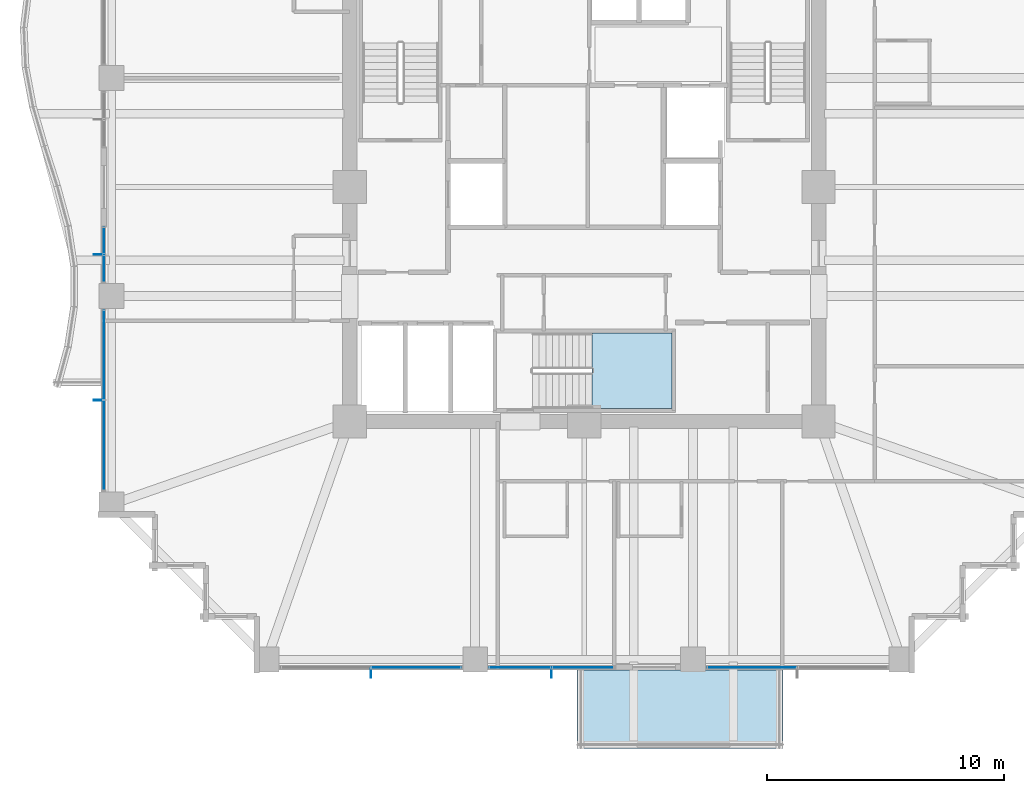
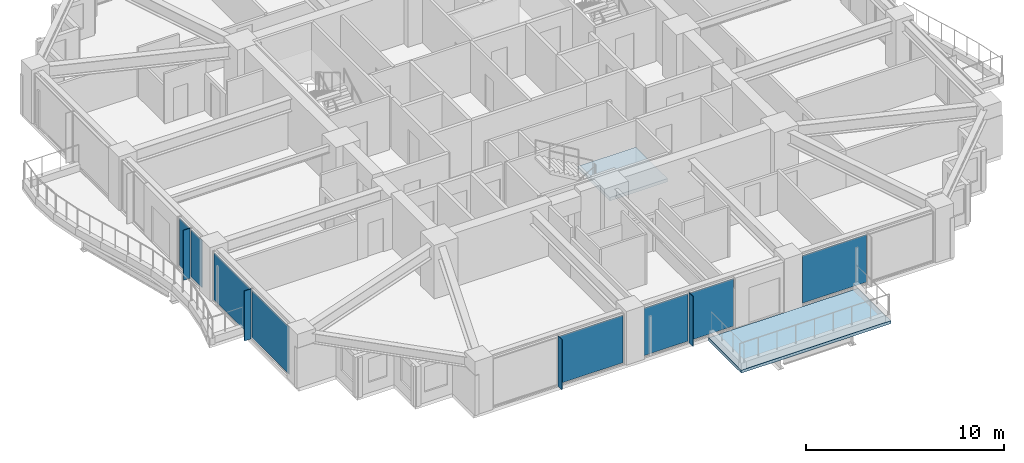
# One storey, part 25 of 38: 12 plates, 2 slabs, 6 elements without a shape of their own.
"""IFC4 building model written with IfcOpenShell, lengths in metres."""

from ifc_helpers import new_model, si_unit, direction, frame, origin, origin_2d, place, context, subcontext, project, spatial, polyline, rectangle, outline, extrude, material, layer, layer_set, type_object, element, aggregate, save


model = new_model("IFC4")

# Units and contexts
model_context = context("Model", 3, precision=1e-05, world=origin(), true_north=direction((0.0, 1.0)))
body_context = subcontext(model_context, "Body", "Model", "MODEL_VIEW")
ifc_project = project(units=[si_unit("LENGTHUNIT", "METRE"), si_unit("AREAUNIT", "SQUARE_METRE"), si_unit("VOLUMEUNIT", "CUBIC_METRE"), si_unit("PLANEANGLEUNIT", "RADIAN"), si_unit("MASSUNIT", "GRAM", prefix="KILO")], contexts=[model_context])

# Site, building, storey
site_placement = place(None, origin())
site = spatial("IfcSite", under=ifc_project, at=site_placement, CompositionType="ELEMENT")
building_placement = place(site_placement, origin())
building = spatial("IfcBuilding", under=site, at=building_placement, Name="Kolvaren Belvedere", CompositionType="ELEMENT")
storey_placement = place(building_placement, frame((0.0, 0.0, 101.89990234375)))
storey = spatial("IfcBuildingStorey", under=building, at=storey_placement, Name="L29", CompositionType="ELEMENT", Elevation=101.89990234375)

# Curtain wall, plate
ifc_material_1 = material(Name="Anodised pale-metal aluminium AA 6063-T6", Category="aluminium")
curtain_wall_type = type_object("IfcCurtainWallType", Name="CW-Z2-MID", PredefinedType="NOTDEFINED", material=ifc_material_1)
curtain_wall_1_placement = place(storey_placement, origin())
curtain_wall_1 = element("IfcCurtainWall", 1, at=curtain_wall_1_placement, inside=storey, type_object=curtain_wall_type, Name="L29 Unitised Curtain Wall FCW-L29-S1", PredefinedType="NOTDEFINED")
ifc_material_2 = material(Name="Low-iron triple insulated glass", Category="glass")
ifc_layer_1 = layer(ifc_material_2, 0.028076171875)
ifc_layer_set_1 = layer_set([ifc_layer_1], Name="Low-iron triple insulated glass")
plate_type_1 = type_object("IfcPlateType", Name="CW-PNL-VIS28", PredefinedType="CURTAIN_PANEL", material=ifc_layer_set_1)
plate_1_placement = place(storey_placement, frame((7.0888671875, -20.280029296875, 0.080078125), z_axis=(0.0, 0.0, 1.0), x_axis=(-1.0, 0.0, 0.0)))
plate_1 = element("IfcPlate", 2, at=plate_1_placement, type_object=plate_type_1, Name="FCW-L29-S1 Vision Glazing Panel 2", PredefinedType="CURTAIN_PANEL", context=body_context, shape_type="SweptSolid", body=[
    extrude(rectangle(XDim=3.742431640625, YDim=0.028076171875, at=origin_2d()), origin(), (0.0, 0.0, 1.0), 2.919921875),
])
aggregate(curtain_wall_1, [plate_1])

# Curtain wall, plates
curtain_wall_2_placement = place(storey_placement, origin())
curtain_wall_2 = element("IfcCurtainWall", 3, at=curtain_wall_2_placement, inside=storey, type_object=curtain_wall_type, Name="L29 Unitised Curtain Wall FCW-L29-S2-B1", PredefinedType="NOTDEFINED")
plate_2_placement = place(storey_placement, frame((-0.052978515625, -20.280029296875, 0.080078125), z_axis=(0.0, 0.0, 1.0), x_axis=(-1.0, 0.0, 0.0)))
plate_2 = element("IfcPlate", 4, at=plate_2_placement, type_object=plate_type_1, Name="FCW-L29-S2-B1 Vision Glazing Panel 1", PredefinedType="CURTAIN_PANEL", context=body_context, shape_type="SweptSolid", body=[
    extrude(rectangle(XDim=2.56640625, YDim=0.028076171875, at=origin_2d()), origin(), (0.0, 0.0, 1.0), 2.919921875),
])
plate_3_placement = place(storey_placement, frame((-2.699462890625, -20.280029296875, 0.080078125), z_axis=(0.0, 0.0, 1.0), x_axis=(-1.0, 0.0, 0.0)))
plate_3 = element("IfcPlate", 5, at=plate_3_placement, type_object=plate_type_1, Name="FCW-L29-S2-B1 Vision Glazing Panel 2", PredefinedType="CURTAIN_PANEL", context=body_context, shape_type="SweptSolid", body=[
    extrude(rectangle(XDim=2.56640625, YDim=0.028076171875, at=origin_2d()), origin(), (0.0, 0.0, 1.0), 2.919921875),
])
aggregate(curtain_wall_2, [plate_2, plate_3])

# Curtain wall, plate
curtain_wall_3_placement = place(storey_placement, origin())
curtain_wall_3 = element("IfcCurtainWall", 6, at=curtain_wall_3_placement, inside=storey, type_object=curtain_wall_type, Name="L29 Unitised Curtain Wall FCW-L29-S2-B2", PredefinedType="NOTDEFINED")
plate_4_placement = place(storey_placement, frame((-7.0888671875, -20.280029296875, 0.080078125), z_axis=(0.0, 0.0, 1.0), x_axis=(-1.0, 0.0, 0.0)))
plate_4 = element("IfcPlate", 7, at=plate_4_placement, type_object=plate_type_1, Name="FCW-L29-S2-B2 Vision Glazing Panel 1", PredefinedType="CURTAIN_PANEL", context=body_context, shape_type="SweptSolid", body=[
    extrude(rectangle(XDim=3.742431640625, YDim=0.028076171875, at=origin_2d()), origin(), (0.0, 0.0, 1.0), 2.919921875),
])
aggregate(curtain_wall_3, [plate_4])

# Curtain wall, plates
curtain_wall_4_placement = place(storey_placement, origin())
curtain_wall_4 = element("IfcCurtainWall", 8, at=curtain_wall_4_placement, inside=storey, type_object=curtain_wall_type, Name="L29 Unitised Curtain Wall FCW-L29-W1-B1", PredefinedType="NOTDEFINED")
plate_5_placement = place(storey_placement, frame((-20.280029296875, -10.9111328125, 0.080078125), z_axis=(0.0, 0.0, 1.0), x_axis=(0.0, 1.0, 0.0)))
plate_5 = element("IfcPlate", 9, at=plate_5_placement, type_object=plate_type_1, Name="FCW-L29-W1-B1 Vision Glazing Panel 1", PredefinedType="CURTAIN_PANEL", context=body_context, shape_type="SweptSolid", body=[
    extrude(rectangle(XDim=3.742431640625, YDim=0.028076171875, at=origin_2d()), origin(), (0.0, 0.0, 1.0), 2.919921875),
])
plate_6_placement = place(storey_placement, frame((-20.280029296875, -7.0888671875, 0.080078125), z_axis=(0.0, 0.0, 1.0), x_axis=(0.0, 1.0, 0.0)))
plate_6 = element("IfcPlate", 10, at=plate_6_placement, type_object=plate_type_1, Name="FCW-L29-W1-B1 Vision Glazing Panel 2", PredefinedType="CURTAIN_PANEL", context=body_context, shape_type="SweptSolid", body=[
    extrude(rectangle(XDim=3.742431640625, YDim=0.028076171875, at=origin_2d()), origin(), (0.0, 0.0, 1.0), 2.919921875),
])
aggregate(curtain_wall_4, [plate_5, plate_6])

curtain_wall_5_placement = place(storey_placement, origin())
curtain_wall_5 = element("IfcCurtainWall", 11, at=curtain_wall_5_placement, inside=storey, type_object=curtain_wall_type, Name="L29 Unitised Curtain Wall FCW-L29-W1-B2", PredefinedType="NOTDEFINED")
plate_7_placement = place(storey_placement, frame((-20.280029296875, -3.43701171875, 0.080078125), z_axis=(0.0, 0.0, 1.0), x_axis=(0.0, 1.0, 0.0)))
plate_7 = element("IfcPlate", 12, at=plate_7_placement, type_object=plate_type_1, Name="FCW-L29-W1-B2 Vision Glazing Panel 1", PredefinedType="CURTAIN_PANEL", context=body_context, shape_type="SweptSolid", body=[
    extrude(rectangle(XDim=1.09130859375, YDim=0.028076171875, at=origin_2d()), origin(), (0.0, 0.0, 1.0), 2.919921875),
])
plate_8_placement = place(storey_placement, frame((-20.280029296875, -2.265625, 0.080078125), z_axis=(0.0, 0.0, 1.0), x_axis=(0.0, 1.0, 0.0)))
plate_8 = element("IfcPlate", 13, at=plate_8_placement, type_object=plate_type_1, Name="FCW-L29-W1-B2 Vision Glazing Panel 2", PredefinedType="CURTAIN_PANEL", context=body_context, shape_type="SweptSolid", body=[
    extrude(rectangle(XDim=1.09130859375, YDim=0.028076171875, at=origin_2d()), origin(), (0.0, 0.0, 1.0), 2.919921875),
])
aggregate(curtain_wall_5, [plate_7, plate_8])

# Plates
ifc_material_3 = material(Name="Anodised pale-metal aluminium AA 6063-T6", Category="aluminium")
ifc_layer_2 = layer(ifc_material_3, 0.033935546875)
ifc_layer_set_2 = layer_set([ifc_layer_2], Name="Anodised pale-metal aluminium AA 6063-T6")
plate_type_2 = type_object("IfcPlateType", Name="FIN-VERT-380", PredefinedType="USERDEFINED", material=ifc_layer_set_2)
for number, where, z_axis, x_axis, name in (
    (14, (-1.376220703125, -20.52490234375, 0.0), (0.0, 0.0, 1.0), (0.0, 1.0, 0.0), "L29 Pale-Metal Vertical Shading Fin FCW-L29-S2-B1-1"),
    (15, (-9.0, -20.52490234375, 0.0), (0.0, 0.0, 1.0), (0.0, 1.0, 0.0), "L29 Pale-Metal Vertical Shading Fin FCW-L29-S2-B2-1"),
    (16, (-20.52490234375, -9.0, 0.0), (0.0, 0.0, 1.0), (1.0, 0.0, 0.0), "L29 Pale-Metal Vertical Shading Fin FCW-L29-W1-B1-1"),
    (17, (-20.52490234375, -2.851318359375, 0.0), (0.0, 0.0, 1.0), (1.0, 0.0, 0.0), "L29 Pale-Metal Vertical Shading Fin FCW-L29-W1-B2-1"),
):
    element("IfcPlate", number, at=place(storey_placement, frame(where, z_axis=z_axis, x_axis=x_axis)), inside=storey, type_object=plate_type_2, Name=name, ObjectType="VERTICAL FIN", PredefinedType="USERDEFINED", context=body_context, shape_type="SweptSolid", body=[
        extrude(rectangle(XDim=0.3798828125, YDim=0.033935546875, at=origin_2d()), origin(), (0.0, 0.0, 1.0), 3.080078125),
    ])

# Slab
ifc_material_4 = material(Name="Concrete C50/60", Category="concrete")
ifc_layer_3 = layer(ifc_material_4, 0.179931640625)
ifc_layer_set_3 = layer_set([ifc_layer_3], Name="Concrete C50/60")
slab_type_1 = type_object("IfcSlabType", Name="SL-BAL-180", PredefinedType="FLOOR", material=ifc_layer_set_3)
slab_1_placement = place(storey_placement, frame((0.0, 0.0, -0.219970703125)))
element("IfcSlab", 18, at=slab_1_placement, inside=storey, type_object=slab_type_1, Name="L29 Planted Sky Terrace SPIRAL-04-S", PredefinedType="FLOOR", context=body_context, shape_type="SweptSolid", body=[
    extrude(outline(polyline([(-0.300048828125, -23.699951171875), (8.39990234375, -23.699951171875), (8.39990234375, -20.39990234375), (-0.300048828125, -20.39990234375), (-0.300048828125, -23.699951171875)])), origin(), (0.0, 0.0, 1.0), 0.18017578125),
])

# Stair, slab
ifc_material_5 = material(Name="Concrete C50/60", Category="concrete")
stair_type = type_object("IfcStairType", Name="ST-CORE-1520", PredefinedType="HALF_TURN_STAIR", material=ifc_material_5)
stair_placement = place(storey_placement, origin())
stair = element("IfcStair", 19, at=stair_placement, inside=storey, type_object=stair_type, Name="L29 Protected Exit Stair ST-3", PredefinedType="HALF_TURN_STAIR")
ifc_material_6 = material(Name="Concrete C50/60", Category="concrete")
ifc_layer_4 = layer(ifc_material_6, 0.260009765625)
ifc_layer_set_4 = layer_set([ifc_layer_4], Name="Concrete C50/60")
slab_type_2 = type_object("IfcSlabType", Name="SL-LAND-260", PredefinedType="LANDING", material=ifc_layer_set_4)
slab_2_placement = place(storey_placement, frame((0.0, 0.0, 1.4501953125)))
slab_2 = element("IfcSlab", 20, at=slab_2_placement, type_object=slab_type_2, Name="ST-3 landing 1", PredefinedType="LANDING", context=body_context, shape_type="SweptSolid", body=[
    extrude(outline(polyline([(0.340087890625, -9.35009765625), (3.699951171875, -9.35009765625), (3.699951171875, -6.159912109375), (0.340087890625, -6.159912109375), (0.340087890625, -9.35009765625)])), origin(), (0.0, 0.0, 1.0), 0.199951171875),
])
aggregate(stair, [slab_2])

save(model, "model.ifc")
